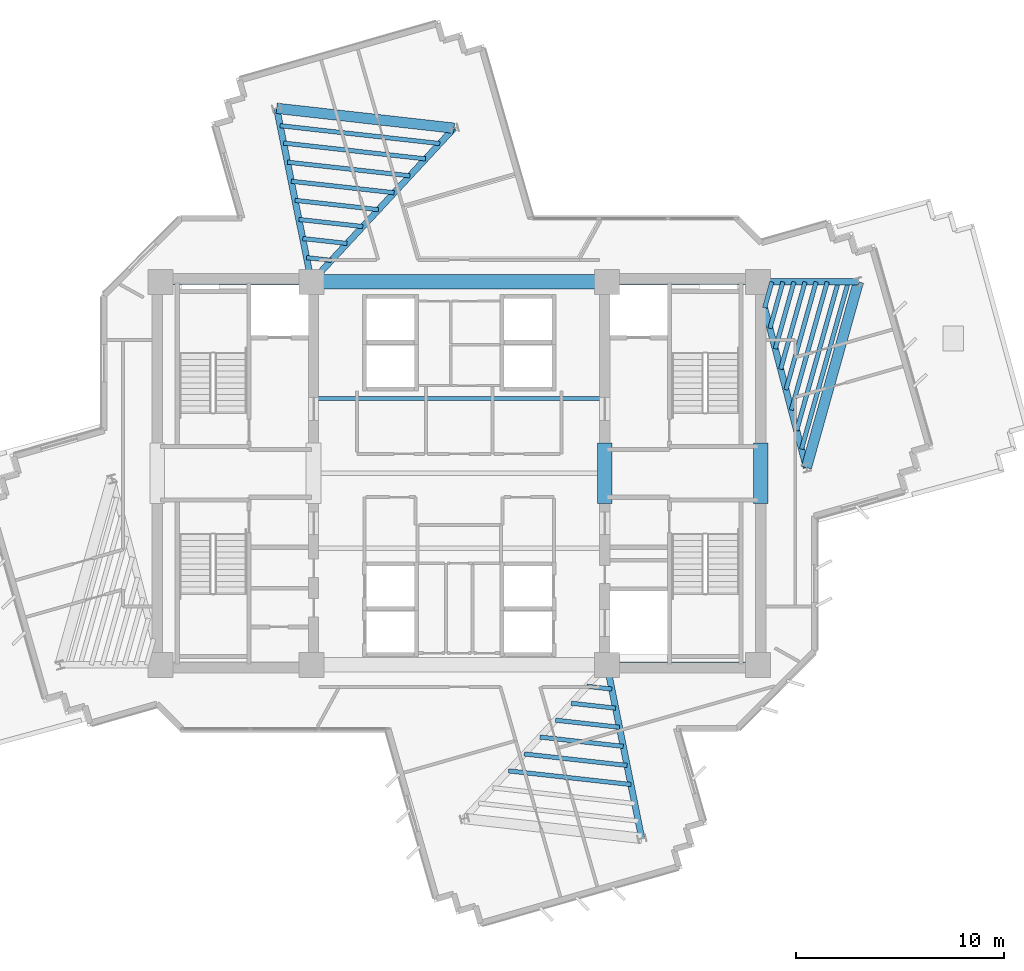
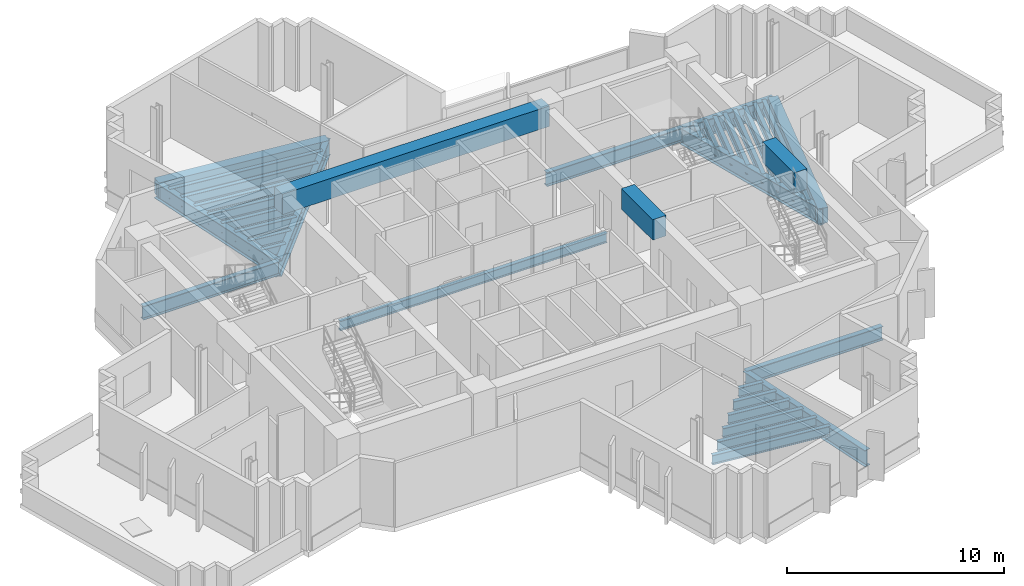
# One storey, part 3 of 14: 36 beams.
"""IFC4 building model written with IfcOpenShell, lengths in metres."""

from ifc_helpers import new_model, si_unit, direction, frame, origin, origin_2d, place, context, subcontext, project, spatial, rectangle, i_section, extrude, source, transform, mapped, material, material_profile, profile_set, type_object, element, save


model = new_model("IFC4")

# Units and contexts
model_context = context("Model", 3, precision=1e-05, world=origin(), true_north=direction((0.0, 1.0)))
body_context = subcontext(model_context, "Body", "Model", "MODEL_VIEW")
ifc_project = project(units=[si_unit("LENGTHUNIT", "METRE"), si_unit("AREAUNIT", "SQUARE_METRE"), si_unit("VOLUMEUNIT", "CUBIC_METRE"), si_unit("PLANEANGLEUNIT", "RADIAN"), si_unit("MASSUNIT", "GRAM", prefix="KILO")], contexts=[model_context])

# Site, building, storey
site_placement = place(None, origin())
site = spatial("IfcSite", under=ifc_project, at=site_placement, CompositionType="ELEMENT")
building_placement = place(site_placement, origin())
building = spatial("IfcBuilding", under=site, at=building_placement, Name="Zahravan Cultural Tower", CompositionType="ELEMENT")
storey_placement = place(building_placement, frame((0.0, 0.0, 201.89990234375)))
storey = spatial("IfcBuildingStorey", under=building, at=storey_placement, Name="L47", CompositionType="ELEMENT", Elevation=201.89990234375)

# Beams
ifc_material_1 = material(Name="Concrete C50/60", Category="concrete")
ifc_material_profile_1 = material_profile(ifc_material_1, rectangle(XDim=0.699951171875, YDim=1.14990234375, at=origin_2d()), Name="RC700X1150")
ifc_profile_set_1 = profile_set([ifc_material_profile_1], Name="Concrete C50/60")
beam_type_1 = type_object("IfcBeamType", Name="BM-LN-RC700X1150", PredefinedType="LINTEL", material=ifc_profile_set_1)
shared_shape_1 = source(origin(), body_context, "Body", "SweptSolid", [
    extrude(rectangle(XDim=0.699951171875, YDim=1.14990234375, at=origin_2d()), origin(), (0.0, 0.0, 1.0), 14.2001953125),
])
beam_1_placement = place(storey_placement, frame((28.89990234375, 36.199951171875, 3.045166015625), z_axis=(1.0, 0.0, 0.0), x_axis=(0.0, 1.0, 0.0)))
element("IfcBeam", 1, at=beam_1_placement, inside=storey, type_object=beam_type_1, Name="L47 Beam LN-L47-N", PredefinedType="LINTEL", context=body_context, shape_type="MappedRepresentation", body=[
    mapped(shared_shape_1, transform((0.0, 0.0, 0.0), x_axis=(1.0, 0.0, 0.0), y_axis=(0.0, 1.0, 0.0), z_axis=(0.0, 0.0, 1.0), scale=1.0)),
])
shared_shape_2 = source(origin(), body_context, "Body", "SweptSolid", [
    extrude(rectangle(XDim=0.699951171875, YDim=1.14990234375, at=origin_2d()), origin(), (0.0, 0.0, 1.0), 2.89990234375),
])
for number, where, z_axis, x_axis, name in (
    (2, (43.0, 25.550048828125, 3.045166015625), (0.0, 1.0, 0.0), (-1.0, 0.0, 0.0), "L47 Beam LN-L47-PEW"),
    (3, (50.5, 25.550048828125, 3.045166015625), (0.0, 1.0, 0.0), (-1.0, 0.0, 0.0), "L47 Beam LN-L47-PEE"),
):
    element("IfcBeam", number, at=place(storey_placement, frame(where, z_axis=z_axis, x_axis=x_axis)), inside=storey, type_object=beam_type_1, Name=name, PredefinedType="LINTEL", context=body_context, shape_type="MappedRepresentation", body=[
        mapped(shared_shape_2, transform((0.0, 0.0, 0.0), x_axis=(1.0, 0.0, 0.0), y_axis=(0.0, 1.0, 0.0), z_axis=(0.0, 0.0, 1.0), scale=1.0)),
    ])
ifc_material_2 = material(Name="Steel ASTM A992 Grade 50", Category="steel")
ifc_material_profile_2 = material_profile(ifc_material_2, i_section(OverallWidth=0.26611328125, OverallDepth=0.780029296875, WebThickness=0.0166015625, FlangeThickness=0.030029296875, FilletRadius=0.01904296875, at=origin_2d()), Name="W30X148")
ifc_profile_set_2 = profile_set([ifc_material_profile_2], Name="Steel ASTM A992 Grade 50")
beam_type_2 = type_object("IfcBeamType", Name="BM-G-W30X148", PredefinedType="BEAM", material=ifc_profile_set_2)
shared_shape_3 = source(origin(), body_context, "Body", "SweptSolid", [
    extrude(i_section(OverallWidth=0.26611328125, OverallDepth=0.780029296875, WebThickness=0.0166015625, FlangeThickness=0.030029296875, FilletRadius=0.01904296875, at=origin_2d()), origin(), (0.0, 0.0, 1.0), 7.25),
])
for number, where, z_axis, x_axis, name in (
    (4, (21.64990234375, 36.199951171875, -0.669921875), (1.0, 0.0, 0.0), (0.0, 1.0, 0.0), "L47 Beam BG-L47-02"),
    (5, (43.10009765625, 17.800048828125, -0.669921875), (1.0, 0.0, 0.0), (0.0, 1.0, 0.0), "L47 Beam BG-L47-04"),
    (6, (43.10009765625, 36.199951171875, -0.669921875), (1.0, 0.0, 0.0), (0.0, 1.0, 0.0), "L47 Beam BG-L47-05"),
):
    element("IfcBeam", number, at=place(storey_placement, frame(where, z_axis=z_axis, x_axis=x_axis)), inside=storey, type_object=beam_type_2, Name=name, PredefinedType="BEAM", context=body_context, shape_type="MappedRepresentation", body=[
        mapped(shared_shape_3, transform((0.0, 0.0, 0.0), x_axis=(1.0, 0.0, 0.0), y_axis=(0.0, 1.0, 0.0), z_axis=(0.0, 0.0, 1.0), scale=1.0)),
    ])
ifc_material_profile_3 = material_profile(ifc_material_2, i_section(OverallWidth=0.304931640625, OverallDepth=0.9189453125, WebThickness=0.017333984375, FlangeThickness=0.02783203125, FilletRadius=0.02392578125, at=origin_2d()), Name="W36X170")
ifc_profile_set_3 = profile_set([ifc_material_profile_3], Name="Steel ASTM A992 Grade 50")
beam_type_3 = type_object("IfcBeamType", Name="BM-G-W36X170", PredefinedType="BEAM", material=ifc_profile_set_3)
shared_shape_4 = source(origin(), body_context, "Body", "SweptSolid", [
    extrude(i_section(OverallWidth=0.304931640625, OverallDepth=0.9189453125, WebThickness=0.017333984375, FlangeThickness=0.02783203125, FilletRadius=0.02392578125, at=origin_2d()), origin(), (0.0, 0.0, 1.0), 9.22900390625),
])
beam_2_placement = place(storey_placement, frame((50.35009765625, 36.199951171875, -0.739501953125), z_axis=(0.252922608408, -0.967486513682, 0.0), x_axis=(0.967486513682, 0.252922608408, 0.0)))
element("IfcBeam", 7, at=beam_2_placement, inside=storey, type_object=beam_type_3, Name="L47 Beam BG-L47-11", PredefinedType="BEAM", context=body_context, shape_type="MappedRepresentation", body=[
    mapped(shared_shape_4, transform((0.0, 0.0, 0.0), x_axis=(1.0, 0.0, 0.0), y_axis=(0.0, 1.0, 0.0), z_axis=(0.0, 0.0, 1.0), scale=1.0)),
])
shared_shape_5 = source(origin(), body_context, "Body", "SweptSolid", [
    extrude(i_section(OverallWidth=0.304931640625, OverallDepth=0.9189453125, WebThickness=0.017333984375, FlangeThickness=0.02783203125, FilletRadius=0.02392578125, at=origin_2d()), origin(), (0.0, 0.0, 1.0), 4.834716796875),
])
beam_3_placement = place(storey_placement, frame((50.35009765625, 36.199951171875, -0.739501953125), z_axis=(0.99999920313, 0.001262433979, 0.0), x_axis=(-0.001262433979, 0.99999920313, 0.0)))
element("IfcBeam", 8, at=beam_3_placement, inside=storey, type_object=beam_type_3, Name="L47 Beam BG-L47-12", PredefinedType="BEAM", context=body_context, shape_type="MappedRepresentation", body=[
    mapped(shared_shape_5, transform((0.0, 0.0, 0.0), x_axis=(1.0, 0.0, 0.0), y_axis=(0.0, 1.0, 0.0), z_axis=(0.0, 0.0, 1.0), scale=1.0)),
])
shared_shape_6 = source(origin(), body_context, "Body", "SweptSolid", [
    extrude(i_section(OverallWidth=0.304931640625, OverallDepth=0.9189453125, WebThickness=0.017333984375, FlangeThickness=0.02783203125, FilletRadius=0.02392578125, at=origin_2d()), origin(), (0.0, 0.0, 1.0), 10.077880859375),
])
beam_4_placement = place(storey_placement, frame((28.89990234375, 36.199951171875, -0.739501953125), z_axis=(0.680170435587, 0.733054007938, 0.0), x_axis=(-0.733054007938, 0.680170435587, 0.0)))
element("IfcBeam", 9, at=beam_4_placement, inside=storey, type_object=beam_type_3, Name="L47 Beam BG-L47-13", PredefinedType="BEAM", context=body_context, shape_type="MappedRepresentation", body=[
    mapped(shared_shape_6, transform((0.0, 0.0, 0.0), x_axis=(1.0, 0.0, 0.0), y_axis=(0.0, 1.0, 0.0), z_axis=(0.0, 0.0, 1.0), scale=1.0)),
])
shared_shape_7 = source(origin(), body_context, "Body", "SweptSolid", [
    extrude(i_section(OverallWidth=0.304931640625, OverallDepth=0.9189453125, WebThickness=0.017333984375, FlangeThickness=0.02783203125, FilletRadius=0.02392578125, at=origin_2d()), origin(), (0.0, 0.0, 1.0), 8.50732421875),
])
for number, where, z_axis, x_axis, name in (
    (10, (43.10009765625, 17.800048828125, -0.739501953125), (0.196524514012, -0.980498911469, 0.0), (0.980498911469, 0.196524514012, 0.0), "L47 Beam BG-L47-10"),
    (11, (28.89990234375, 36.199951171875, -0.739501953125), (-0.196524514012, 0.980498911469, 0.0), (-0.980498911469, -0.196524514012, 0.0), "L47 Beam BG-L47-14"),
):
    element("IfcBeam", number, at=place(storey_placement, frame(where, z_axis=z_axis, x_axis=x_axis)), inside=storey, type_object=beam_type_3, Name=name, PredefinedType="BEAM", context=body_context, shape_type="MappedRepresentation", body=[
        mapped(shared_shape_7, transform((0.0, 0.0, 0.0), x_axis=(1.0, 0.0, 0.0), y_axis=(0.0, 1.0, 0.0), z_axis=(0.0, 0.0, 1.0), scale=1.0)),
    ])
ifc_material_profile_4 = material_profile(ifc_material_1, rectangle(XDim=0.5, YDim=0.85009765625, at=origin_2d()), Name="RC500X850")
ifc_profile_set_4 = profile_set([ifc_material_profile_4], Name="Concrete C50/60")
beam_type_4 = type_object("IfcBeamType", Name="BM-SP-RC500X850", PredefinedType="SPANDREL", material=ifc_profile_set_4)
shared_shape_8 = source(origin(), body_context, "Body", "SweptSolid", [
    extrude(rectangle(XDim=0.5, YDim=0.85009765625, at=origin_2d()), origin(), (0.0, 0.0, 1.0), 9.2783203125),
])
beam_5_placement = place(storey_placement, frame((52.684326171875, 27.27099609375, -0.704833984375), z_axis=(0.269497187032, 0.963001176625, 0.0), x_axis=(-0.963001176625, 0.269497187032, 0.0)))
element("IfcBeam", 12, at=beam_5_placement, inside=storey, type_object=beam_type_4, Name="L47 Beam SP-L47-17", PredefinedType="SPANDREL", context=body_context, shape_type="MappedRepresentation", body=[
    mapped(shared_shape_8, transform((0.0, 0.0, 0.0), x_axis=(1.0, 0.0, 0.0), y_axis=(0.0, 1.0, 0.0), z_axis=(0.0, 0.0, 1.0), scale=1.0)),
])
shared_shape_9 = source(origin(), body_context, "Body", "SweptSolid", [
    extrude(rectangle(XDim=0.5, YDim=0.85009765625, at=origin_2d()), origin(), (0.0, 0.0, 1.0), 8.579833984375),
])
beam_6_placement = place(storey_placement, frame((35.754638671875, 43.587646484375, -0.704833984375), z_axis=(-0.9938040105, 0.11114669907, 0.0), x_axis=(-0.11114669907, -0.9938040105, 0.0)))
element("IfcBeam", 13, at=beam_6_placement, inside=storey, type_object=beam_type_4, Name="L47 Beam SP-L47-18", PredefinedType="SPANDREL", context=body_context, shape_type="MappedRepresentation", body=[
    mapped(shared_shape_9, transform((0.0, 0.0, 0.0), x_axis=(1.0, 0.0, 0.0), y_axis=(0.0, 1.0, 0.0), z_axis=(0.0, 0.0, 1.0), scale=1.0)),
])
ifc_material_profile_5 = material_profile(ifc_material_2, i_section(OverallWidth=0.2099609375, OverallDepth=0.532958984375, WebThickness=0.01025390625, FlangeThickness=0.015625, FilletRadius=0.013916015625, at=origin_2d()), Name="W21X62")
ifc_profile_set_5 = profile_set([ifc_material_profile_5], Name="Steel ASTM A992 Grade 50")
beam_type_5 = type_object("IfcBeamType", Name="BM-J-W21X62", PredefinedType="JOIST", material=ifc_profile_set_5)
shared_shape_10 = source(origin(), body_context, "Body", "SweptSolid", [
    extrude(i_section(OverallWidth=0.2099609375, OverallDepth=0.532958984375, WebThickness=0.01025390625, FlangeThickness=0.015625, FilletRadius=0.013916015625, at=origin_2d()), origin(), (0.0, 0.0, 1.0), 14.2001953125),
])
beam_7_placement = place(storey_placement, frame((28.89990234375, 30.60009765625, -0.54638671875), z_axis=(1.0, 0.0, 0.0), x_axis=(0.0, 1.0, 0.0)))
element("IfcBeam", 14, at=beam_7_placement, inside=storey, type_object=beam_type_5, Name="L47 Beam BJ-L47-21", PredefinedType="JOIST", context=body_context, shape_type="MappedRepresentation", body=[
    mapped(shared_shape_10, transform((0.0, 0.0, 0.0), x_axis=(1.0, 0.0, 0.0), y_axis=(0.0, 1.0, 0.0), z_axis=(0.0, 0.0, 1.0), scale=1.0)),
])
shared_shape_11 = source(origin(), body_context, "Body", "SweptSolid", [
    extrude(i_section(OverallWidth=0.2099609375, OverallDepth=0.532958984375, WebThickness=0.01025390625, FlangeThickness=0.015625, FilletRadius=0.013916015625, at=origin_2d()), origin(), (0.0, 0.0, 1.0), 1.299072265625),
])
beam_8_placement = place(storey_placement, frame((50.6767578125, 34.949951171875, -0.54638671875), z_axis=(0.269504444708, 0.962999145525, 0.0), x_axis=(-0.962999145525, 0.269504444708, 0.0)))
element("IfcBeam", 15, at=beam_8_placement, inside=storey, type_object=beam_type_5, Name="L47 Beam BJ-L47-38", PredefinedType="JOIST", context=body_context, shape_type="MappedRepresentation", body=[
    mapped(shared_shape_11, transform((0.0, 0.0, 0.0), x_axis=(1.0, 0.0, 0.0), y_axis=(0.0, 1.0, 0.0), z_axis=(0.0, 0.0, 1.0), scale=1.0)),
])
shared_shape_12 = source(origin(), body_context, "Body", "SweptSolid", [
    extrude(i_section(OverallWidth=0.2099609375, OverallDepth=0.532958984375, WebThickness=0.01025390625, FlangeThickness=0.015625, FilletRadius=0.013916015625, at=origin_2d()), origin(), (0.0, 0.0, 1.0), 2.3193359375),
])
beam_9_placement = place(storey_placement, frame((50.93359375, 33.9677734375, -0.54638671875), z_axis=(0.269462038626, 0.963011012263, 0.0), x_axis=(-0.963011012263, 0.269462038626, 0.0)))
element("IfcBeam", 16, at=beam_9_placement, inside=storey, type_object=beam_type_5, Name="L47 Beam BJ-L47-39", PredefinedType="JOIST", context=body_context, shape_type="MappedRepresentation", body=[
    mapped(shared_shape_12, transform((0.0, 0.0, 0.0), x_axis=(1.0, 0.0, 0.0), y_axis=(0.0, 1.0, 0.0), z_axis=(0.0, 0.0, 1.0), scale=1.0)),
])
shared_shape_13 = source(origin(), body_context, "Body", "SweptSolid", [
    extrude(i_section(OverallWidth=0.2099609375, OverallDepth=0.532958984375, WebThickness=0.01025390625, FlangeThickness=0.015625, FilletRadius=0.013916015625, at=origin_2d()), origin(), (0.0, 0.0, 1.0), 3.340087890625),
])
beam_10_placement = place(storey_placement, frame((51.190185546875, 32.985595703125, -0.54638671875), z_axis=(0.269562146951, 0.962982995141, 0.0), x_axis=(-0.962982995141, 0.269562146951, 0.0)))
element("IfcBeam", 17, at=beam_10_placement, inside=storey, type_object=beam_type_5, Name="L47 Beam BJ-L47-40", PredefinedType="JOIST", context=body_context, shape_type="MappedRepresentation", body=[
    mapped(shared_shape_13, transform((0.0, 0.0, 0.0), x_axis=(1.0, 0.0, 0.0), y_axis=(0.0, 1.0, 0.0), z_axis=(0.0, 0.0, 1.0), scale=1.0)),
])
shared_shape_14 = source(origin(), body_context, "Body", "SweptSolid", [
    extrude(i_section(OverallWidth=0.2099609375, OverallDepth=0.532958984375, WebThickness=0.01025390625, FlangeThickness=0.015625, FilletRadius=0.013916015625, at=origin_2d()), origin(), (0.0, 0.0, 1.0), 4.36083984375),
])
beam_11_placement = place(storey_placement, frame((51.447021484375, 32.00341796875, -0.54638671875), z_axis=(0.269511557673, 0.962997154866, 0.0), x_axis=(-0.962997154866, 0.269511557673, 0.0)))
element("IfcBeam", 18, at=beam_11_placement, inside=storey, type_object=beam_type_5, Name="L47 Beam BJ-L47-41", PredefinedType="JOIST", context=body_context, shape_type="MappedRepresentation", body=[
    mapped(shared_shape_14, transform((0.0, 0.0, 0.0), x_axis=(1.0, 0.0, 0.0), y_axis=(0.0, 1.0, 0.0), z_axis=(0.0, 0.0, 1.0), scale=1.0)),
])
shared_shape_15 = source(origin(), body_context, "Body", "SweptSolid", [
    extrude(i_section(OverallWidth=0.2099609375, OverallDepth=0.532958984375, WebThickness=0.01025390625, FlangeThickness=0.015625, FilletRadius=0.013916015625, at=origin_2d()), origin(), (0.0, 0.0, 1.0), 5.3818359375),
])
beam_12_placement = place(storey_placement, frame((51.703857421875, 31.02099609375, -0.54638671875), z_axis=(0.269510454638, 0.962997463569, 0.0), x_axis=(-0.962997463569, 0.269510454638, 0.0)))
element("IfcBeam", 19, at=beam_12_placement, inside=storey, type_object=beam_type_5, Name="L47 Beam BJ-L47-42", PredefinedType="JOIST", context=body_context, shape_type="MappedRepresentation", body=[
    mapped(shared_shape_15, transform((0.0, 0.0, 0.0), x_axis=(1.0, 0.0, 0.0), y_axis=(0.0, 1.0, 0.0), z_axis=(0.0, 0.0, 1.0), scale=1.0)),
])
shared_shape_16 = source(origin(), body_context, "Body", "SweptSolid", [
    extrude(i_section(OverallWidth=0.2099609375, OverallDepth=0.532958984375, WebThickness=0.01025390625, FlangeThickness=0.015625, FilletRadius=0.013916015625, at=origin_2d()), origin(), (0.0, 0.0, 1.0), 6.402099609375),
])
beam_13_placement = place(storey_placement, frame((51.960693359375, 30.038818359375, -0.54638671875), z_axis=(0.269494133533, 0.963002031146, 0.0), x_axis=(-0.963002031146, 0.269494133533, 0.0)))
element("IfcBeam", 20, at=beam_13_placement, inside=storey, type_object=beam_type_5, Name="L47 Beam BJ-L47-43", PredefinedType="JOIST", context=body_context, shape_type="MappedRepresentation", body=[
    mapped(shared_shape_16, transform((0.0, 0.0, 0.0), x_axis=(1.0, 0.0, 0.0), y_axis=(0.0, 1.0, 0.0), z_axis=(0.0, 0.0, 1.0), scale=1.0)),
])
shared_shape_17 = source(origin(), body_context, "Body", "SweptSolid", [
    extrude(i_section(OverallWidth=0.2099609375, OverallDepth=0.532958984375, WebThickness=0.01025390625, FlangeThickness=0.015625, FilletRadius=0.013916015625, at=origin_2d()), origin(), (0.0, 0.0, 1.0), 7.4228515625),
])
beam_14_placement = place(storey_placement, frame((52.21728515625, 29.056640625, -0.54638671875), z_axis=(0.269504266128, 0.962999195503, 0.0), x_axis=(-0.962999195503, 0.269504266128, 0.0)))
element("IfcBeam", 21, at=beam_14_placement, inside=storey, type_object=beam_type_5, Name="L47 Beam BJ-L47-44", PredefinedType="JOIST", context=body_context, shape_type="MappedRepresentation", body=[
    mapped(shared_shape_17, transform((0.0, 0.0, 0.0), x_axis=(1.0, 0.0, 0.0), y_axis=(0.0, 1.0, 0.0), z_axis=(0.0, 0.0, 1.0), scale=1.0)),
])
shared_shape_18 = source(origin(), body_context, "Body", "SweptSolid", [
    extrude(i_section(OverallWidth=0.2099609375, OverallDepth=0.532958984375, WebThickness=0.01025390625, FlangeThickness=0.015625, FilletRadius=0.013916015625, at=origin_2d()), origin(), (0.0, 0.0, 1.0), 8.350830078125),
])
beam_15_placement = place(storey_placement, frame((52.450927734375, 28.163818359375, -0.54638671875), z_axis=(0.269496539555, 0.963001357822, 0.0), x_axis=(-0.963001357822, 0.269496539555, 0.0)))
element("IfcBeam", 22, at=beam_15_placement, inside=storey, type_object=beam_type_5, Name="L47 Beam BJ-L47-45", PredefinedType="JOIST", context=body_context, shape_type="MappedRepresentation", body=[
    mapped(shared_shape_18, transform((0.0, 0.0, 0.0), x_axis=(1.0, 0.0, 0.0), y_axis=(0.0, 1.0, 0.0), z_axis=(0.0, 0.0, 1.0), scale=1.0)),
])
shared_shape_19 = source(origin(), body_context, "Body", "SweptSolid", [
    extrude(i_section(OverallWidth=0.2099609375, OverallDepth=0.532958984375, WebThickness=0.01025390625, FlangeThickness=0.015625, FilletRadius=0.013916015625, at=origin_2d()), origin(), (0.0, 0.0, 1.0), 1.201171875),
])
for number, where, z_axis, x_axis, name in (
    (23, (42.140380859375, 16.765625, -0.54638671875), (0.99379916149, -0.111190047317, 0.0), (0.111190047317, 0.99379916149, 0.0), "L47 Beam BJ-L47-30"),
    (24, (29.859619140625, 37.234375, -0.54638671875), (-0.99379916149, 0.111190047317, 0.0), (-0.111190047317, -0.99379916149, 0.0), "L47 Beam BJ-L47-46"),
):
    element("IfcBeam", number, at=place(storey_placement, frame(where, z_axis=z_axis, x_axis=x_axis)), inside=storey, type_object=beam_type_5, Name=name, PredefinedType="JOIST", context=body_context, shape_type="MappedRepresentation", body=[
        mapped(shared_shape_19, transform((0.0, 0.0, 0.0), x_axis=(1.0, 0.0, 0.0), y_axis=(0.0, 1.0, 0.0), z_axis=(0.0, 0.0, 1.0), scale=1.0)),
    ])
shared_shape_20 = source(origin(), body_context, "Body", "SweptSolid", [
    extrude(i_section(OverallWidth=0.2099609375, OverallDepth=0.532958984375, WebThickness=0.01025390625, FlangeThickness=0.015625, FilletRadius=0.013916015625, at=origin_2d()), origin(), (0.0, 0.0, 1.0), 2.144775390625),
])
for number, where, z_axis, x_axis, name in (
    (25, (41.386474609375, 15.953125, -0.54638671875), (0.993797370806, -0.111206051, 0.0), (0.111206051, 0.993797370806, 0.0), "L47 Beam BJ-L47-31"),
    (26, (30.613525390625, 38.046875, -0.54638671875), (-0.993797370806, 0.111206051, 0.0), (-0.111206051, -0.993797370806, 0.0), "L47 Beam BJ-L47-47"),
):
    element("IfcBeam", number, at=place(storey_placement, frame(where, z_axis=z_axis, x_axis=x_axis)), inside=storey, type_object=beam_type_5, Name=name, PredefinedType="JOIST", context=body_context, shape_type="MappedRepresentation", body=[
        mapped(shared_shape_20, transform((0.0, 0.0, 0.0), x_axis=(1.0, 0.0, 0.0), y_axis=(0.0, 1.0, 0.0), z_axis=(0.0, 0.0, 1.0), scale=1.0)),
    ])
shared_shape_21 = source(origin(), body_context, "Body", "SweptSolid", [
    extrude(i_section(OverallWidth=0.2099609375, OverallDepth=0.532958984375, WebThickness=0.01025390625, FlangeThickness=0.015625, FilletRadius=0.013916015625, at=origin_2d()), origin(), (0.0, 0.0, 1.0), 3.088623046875),
])
for number, where, z_axis, x_axis, name in (
    (27, (40.63232421875, 15.140380859375, -0.54638671875), (0.993805407368, -0.111134208443, 0.0), (0.111134208443, 0.993805407368, 0.0), "L47 Beam BJ-L47-32"),
    (28, (31.36767578125, 38.859619140625, -0.54638671875), (-0.993805407368, 0.111134208443, 0.0), (-0.111134208443, -0.993805407368, 0.0), "L47 Beam BJ-L47-48"),
):
    element("IfcBeam", number, at=place(storey_placement, frame(where, z_axis=z_axis, x_axis=x_axis)), inside=storey, type_object=beam_type_5, Name=name, PredefinedType="JOIST", context=body_context, shape_type="MappedRepresentation", body=[
        mapped(shared_shape_21, transform((0.0, 0.0, 0.0), x_axis=(1.0, 0.0, 0.0), y_axis=(0.0, 1.0, 0.0), z_axis=(0.0, 0.0, 1.0), scale=1.0)),
    ])
shared_shape_22 = source(origin(), body_context, "Body", "SweptSolid", [
    extrude(i_section(OverallWidth=0.2099609375, OverallDepth=0.532958984375, WebThickness=0.01025390625, FlangeThickness=0.015625, FilletRadius=0.013916015625, at=origin_2d()), origin(), (0.0, 0.0, 1.0), 4.0322265625),
])
for number, where, z_axis, x_axis, name in (
    (29, (39.87841796875, 14.327880859375, -0.54638671875), (0.993802245601, -0.11116247855, 0.0), (0.11116247855, 0.993802245601, 0.0), "L47 Beam BJ-L47-33"),
    (30, (32.12158203125, 39.672119140625, -0.54638671875), (-0.993802245601, 0.11116247855, 0.0), (-0.11116247855, -0.993802245601, 0.0), "L47 Beam BJ-L47-49"),
):
    element("IfcBeam", number, at=place(storey_placement, frame(where, z_axis=z_axis, x_axis=x_axis)), inside=storey, type_object=beam_type_5, Name=name, PredefinedType="JOIST", context=body_context, shape_type="MappedRepresentation", body=[
        mapped(shared_shape_22, transform((0.0, 0.0, 0.0), x_axis=(1.0, 0.0, 0.0), y_axis=(0.0, 1.0, 0.0), z_axis=(0.0, 0.0, 1.0), scale=1.0)),
    ])
shared_shape_23 = source(origin(), body_context, "Body", "SweptSolid", [
    extrude(i_section(OverallWidth=0.2099609375, OverallDepth=0.532958984375, WebThickness=0.01025390625, FlangeThickness=0.015625, FilletRadius=0.013916015625, at=origin_2d()), origin(), (0.0, 0.0, 1.0), 4.97607421875),
])
for number, where, z_axis, x_axis, name in (
    (31, (39.124267578125, 13.51513671875, -0.54638671875), (0.993806308517, -0.111126149723, 0.0), (0.111126149723, 0.993806308517, 0.0), "L47 Beam BJ-L47-34"),
    (32, (32.875732421875, 40.48486328125, -0.54638671875), (-0.993806308517, 0.111126149723, 0.0), (-0.111126149723, -0.993806308517, 0.0), "L47 Beam BJ-L47-50"),
):
    element("IfcBeam", number, at=place(storey_placement, frame(where, z_axis=z_axis, x_axis=x_axis)), inside=storey, type_object=beam_type_5, Name=name, PredefinedType="JOIST", context=body_context, shape_type="MappedRepresentation", body=[
        mapped(shared_shape_23, transform((0.0, 0.0, 0.0), x_axis=(1.0, 0.0, 0.0), y_axis=(0.0, 1.0, 0.0), z_axis=(0.0, 0.0, 1.0), scale=1.0)),
    ])
shared_shape_24 = source(origin(), body_context, "Body", "SweptSolid", [
    extrude(i_section(OverallWidth=0.2099609375, OverallDepth=0.532958984375, WebThickness=0.01025390625, FlangeThickness=0.015625, FilletRadius=0.013916015625, at=origin_2d()), origin(), (0.0, 0.0, 1.0), 5.919921875),
])
for number, where, z_axis, x_axis, name in (
    (33, (38.370361328125, 12.70263671875, -0.54638671875), (0.993804520866, -0.111142135602, 0.0), (0.111142135602, 0.993804520866, 0.0), "L47 Beam BJ-L47-35"),
    (34, (33.629638671875, 41.29736328125, -0.54638671875), (-0.993804520866, 0.111142135602, 0.0), (-0.111142135602, -0.993804520866, 0.0), "L47 Beam BJ-L47-51"),
):
    element("IfcBeam", number, at=place(storey_placement, frame(where, z_axis=z_axis, x_axis=x_axis)), inside=storey, type_object=beam_type_5, Name=name, PredefinedType="JOIST", context=body_context, shape_type="MappedRepresentation", body=[
        mapped(shared_shape_24, transform((0.0, 0.0, 0.0), x_axis=(1.0, 0.0, 0.0), y_axis=(0.0, 1.0, 0.0), z_axis=(0.0, 0.0, 1.0), scale=1.0)),
    ])
shared_shape_25 = source(origin(), body_context, "Body", "SweptSolid", [
    extrude(i_section(OverallWidth=0.2099609375, OverallDepth=0.532958984375, WebThickness=0.01025390625, FlangeThickness=0.015625, FilletRadius=0.013916015625, at=origin_2d()), origin(), (0.0, 0.0, 1.0), 6.86376953125),
])
beam_16_placement = place(storey_placement, frame((34.3837890625, 42.110107421875, -0.54638671875), z_axis=(-0.993803224695, 0.111153725024, 0.0), x_axis=(-0.111153725024, -0.993803224695, 0.0)))
element("IfcBeam", 35, at=beam_16_placement, inside=storey, type_object=beam_type_5, Name="L47 Beam BJ-L47-52", PredefinedType="JOIST", context=body_context, shape_type="MappedRepresentation", body=[
    mapped(shared_shape_25, transform((0.0, 0.0, 0.0), x_axis=(1.0, 0.0, 0.0), y_axis=(0.0, 1.0, 0.0), z_axis=(0.0, 0.0, 1.0), scale=1.0)),
])
shared_shape_26 = source(origin(), body_context, "Body", "SweptSolid", [
    extrude(i_section(OverallWidth=0.2099609375, OverallDepth=0.532958984375, WebThickness=0.01025390625, FlangeThickness=0.015625, FilletRadius=0.013916015625, at=origin_2d()), origin(), (0.0, 0.0, 1.0), 7.7216796875),
])
beam_17_placement = place(storey_placement, frame((35.069091796875, 42.848876953125, -0.54638671875), z_axis=(-0.993805212115, 0.11113595446, 0.0), x_axis=(-0.11113595446, -0.993805212115, 0.0)))
element("IfcBeam", 36, at=beam_17_placement, inside=storey, type_object=beam_type_5, Name="L47 Beam BJ-L47-53", PredefinedType="JOIST", context=body_context, shape_type="MappedRepresentation", body=[
    mapped(shared_shape_26, transform((0.0, 0.0, 0.0), x_axis=(1.0, 0.0, 0.0), y_axis=(0.0, 1.0, 0.0), z_axis=(0.0, 0.0, 1.0), scale=1.0)),
])

save(model, "model.ifc")
